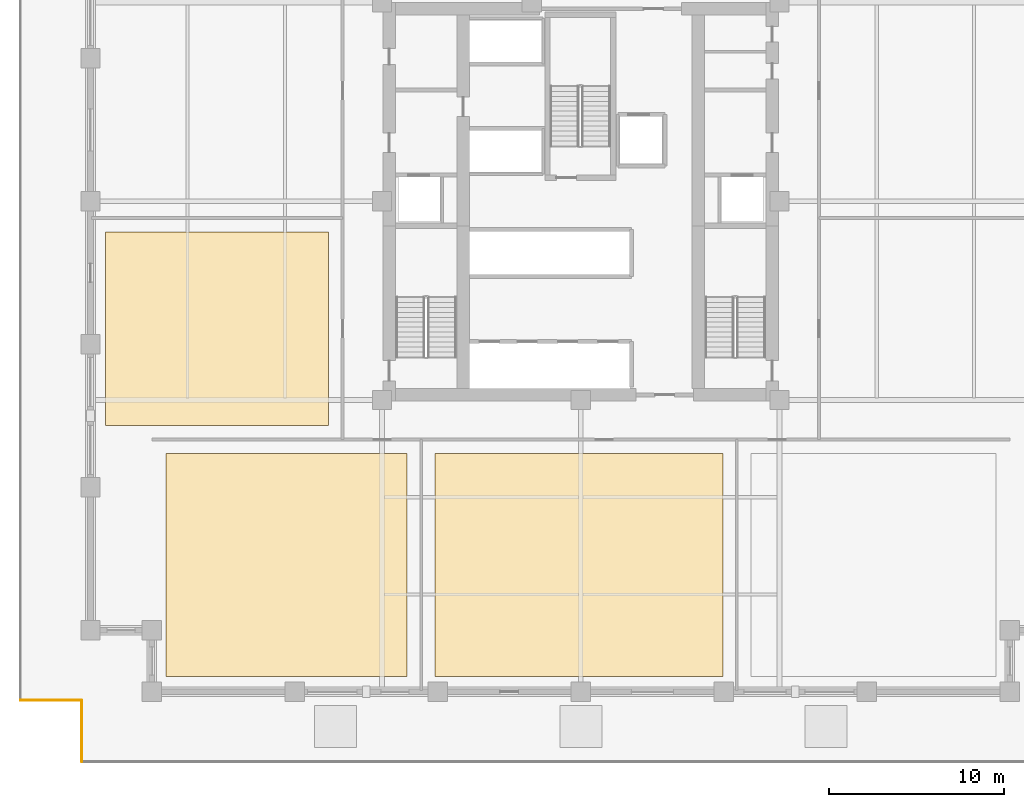
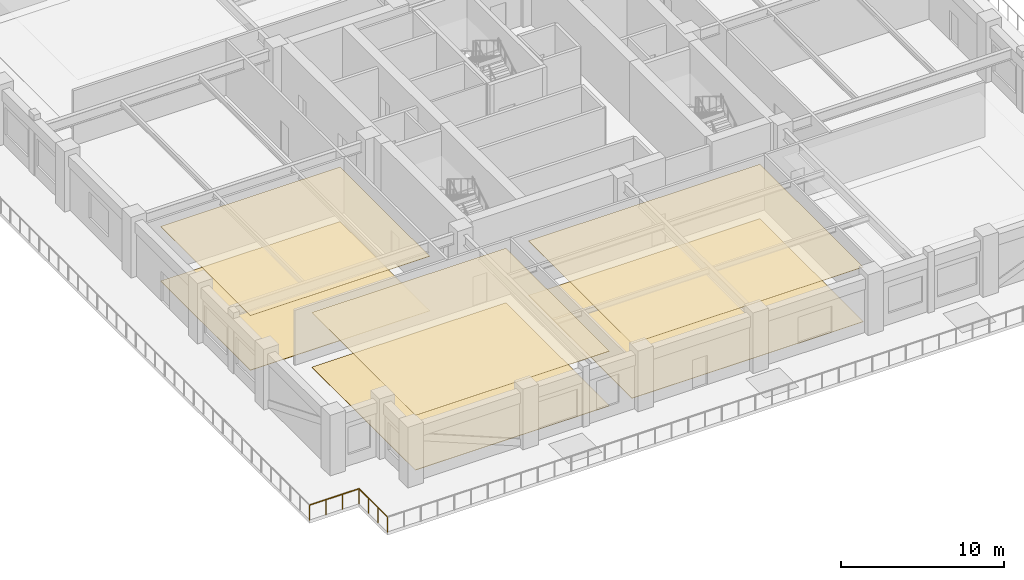
# One storey, part 7 of 13: 6 coverings, 2 railings.
"""IFC4 building model written with IfcOpenShell, lengths in metres."""

from ifc_helpers import new_model, si_unit, direction, frame, origin, origin_2d, place, context, subcontext, project, spatial, polyline, circle, outline, extrude, material, layer, layer_set, type_object, element, save


model = new_model("IFC4")

# Units and contexts
model_context = context("Model", 3, precision=1e-05, world=origin(), true_north=direction((0.0, 1.0)))
body_context = subcontext(model_context, "Body", "Model", "MODEL_VIEW")
ifc_project = project(units=[si_unit("LENGTHUNIT", "METRE"), si_unit("AREAUNIT", "SQUARE_METRE"), si_unit("VOLUMEUNIT", "CUBIC_METRE"), si_unit("PLANEANGLEUNIT", "RADIAN"), si_unit("MASSUNIT", "GRAM", prefix="KILO")], contexts=[model_context])

# Site, building, storey
site_placement = place(None, origin())
site = spatial("IfcSite", under=ifc_project, at=site_placement, CompositionType="ELEMENT")
building_placement = place(site_placement, origin())
building = spatial("IfcBuilding", under=site, at=building_placement, Name="Nhamokura Convention Tower", CompositionType="ELEMENT")
storey_placement = place(building_placement, frame((0.0, 0.0, 34.300048828125)))
storey = spatial("IfcBuildingStorey", under=building, at=storey_placement, Name="L06", CompositionType="ELEMENT", Elevation=34.300048828125)

# Coverings
ifc_material_1 = material(Name="Mineral-fibre acoustic ceiling tile", Category="gypsum")
ifc_layer_1 = layer(ifc_material_1, 0.02490234375)
ifc_layer_set_1 = layer_set([ifc_layer_1], Name="AcousticTileCeiling_25")
covering_type_1 = type_object("IfcCoveringType", Name="AcousticTileCeiling_25", PredefinedType="CEILING", material=ifc_layer_set_1)
covering_1_placement = place(storey_placement, frame((0.0, 0.0, 4.10498046875)))
element("IfcCovering", 1, at=covering_1_placement, inside=storey, type_object=covering_type_1, Name="L06 Suspended Ceiling 01", PredefinedType="CEILING", context=body_context, shape_type="SweptSolid", body=[
    extrude(outline(polyline([(8.300048828125, 4.860107421875), (22.083251953125, 4.860107421875), (22.083251953125, 17.60009765625), (8.300048828125, 17.60009765625), (8.300048828125, 4.860107421875)])), origin(), (0.0, 0.0, 1.0), 0.02490234375),
])
covering_2_placement = place(storey_placement, frame((0.0, 0.0, 4.10498046875)))
element("IfcCovering", 2, at=covering_2_placement, inside=storey, type_object=covering_type_1, Name="L06 Suspended Ceiling 02", PredefinedType="CEILING", context=body_context, shape_type="SweptSolid", body=[
    extrude(outline(polyline([(23.683349609375, 4.860107421875), (40.11669921875, 4.860107421875), (40.11669921875, 17.60009765625), (23.683349609375, 17.60009765625), (23.683349609375, 4.860107421875)])), origin(), (0.0, 0.0, 1.0), 0.02490234375),
])
covering_3_placement = place(storey_placement, frame((0.0, 0.0, 4.10498046875)))
element("IfcCovering", 3, at=covering_3_placement, inside=storey, type_object=covering_type_1, Name="L06 Suspended Ceiling 06", PredefinedType="CEILING", context=body_context, shape_type="SweptSolid", body=[
    extrude(outline(polyline([(4.860107421875, 19.199951171875), (17.60009765625, 19.199951171875), (17.60009765625, 30.25), (4.860107421875, 30.25), (4.860107421875, 19.199951171875)])), origin(), (0.0, 0.0, 1.0), 0.02490234375),
])
ifc_material_2 = material(Name="Polished Sabana granite terrazzo", Category="masonry")
ifc_layer_2 = layer(ifc_material_2, 0.030029296875)
ifc_layer_set_2 = layer_set([ifc_layer_2], Name="SabanaTerrazzoFlooring_30")
covering_type_2 = type_object("IfcCoveringType", Name="SabanaTerrazzoFlooring_30", PredefinedType="FLOORING", material=ifc_layer_set_2)
covering_4_placement = place(storey_placement, origin())
element("IfcCovering", 4, at=covering_4_placement, inside=storey, type_object=covering_type_2, Name="L06 Finish Flooring 01", PredefinedType="FLOORING", context=body_context, shape_type="SweptSolid", body=[
    extrude(outline(polyline([(8.300048828125, 4.860107421875), (22.083251953125, 4.860107421875), (22.083251953125, 17.60009765625), (8.300048828125, 17.60009765625), (8.300048828125, 4.860107421875)])), origin(), (0.0, 0.0, 1.0), 0.030029296875),
])
covering_5_placement = place(storey_placement, origin())
element("IfcCovering", 5, at=covering_5_placement, inside=storey, type_object=covering_type_2, Name="L06 Finish Flooring 02", PredefinedType="FLOORING", context=body_context, shape_type="SweptSolid", body=[
    extrude(outline(polyline([(23.683349609375, 4.860107421875), (40.11669921875, 4.860107421875), (40.11669921875, 17.60009765625), (23.683349609375, 17.60009765625), (23.683349609375, 4.860107421875)])), origin(), (0.0, 0.0, 1.0), 0.030029296875),
])
covering_6_placement = place(storey_placement, origin())
element("IfcCovering", 6, at=covering_6_placement, inside=storey, type_object=covering_type_2, Name="L06 Finish Flooring 06", PredefinedType="FLOORING", context=body_context, shape_type="SweptSolid", body=[
    extrude(outline(polyline([(4.860107421875, 19.199951171875), (17.60009765625, 19.199951171875), (17.60009765625, 30.25), (4.860107421875, 30.25), (4.860107421875, 19.199951171875)])), origin(), (0.0, 0.0, 1.0), 0.030029296875),
])

# Railings
ifc_material_3 = material(Name="Anodised bronze stainless steel", Category="steel")
railing_type = type_object("IfcRailingType", Name="TerraceGuardrail_1150", PredefinedType="GUARDRAIL", material=ifc_material_3)
railing_1_placement = place(storey_placement, frame((0.0, 3.5, 0.0)))
element("IfcRailing", 7, at=railing_1_placement, inside=storey, type_object=railing_type, Name="L06 Perimeter Guardrail 11", PredefinedType="GUARDRAIL", context=body_context, shape_type="SweptSolid", body=[
    extrude(circle(Radius=0.02392578125, at=origin_2d()), frame((0.0, 0.0, 1.1259765625), z_axis=(1.0, 0.0, 0.0), x_axis=(0.0, 1.0, 0.0)), (0.0, 0.0, 1.0), 3.5),
    extrude(circle(Radius=0.02099609375, at=origin_2d()), origin(), (0.0, 0.0, 1.0), 1.101806640625),
    extrude(circle(Radius=0.02099609375, at=origin_2d()), frame((1.166748046875, 0.0, 0.0)), (0.0, 0.0, 1.0), 1.101806640625),
    extrude(circle(Radius=0.02099609375, at=origin_2d()), frame((2.333251953125, 0.0, 0.0)), (0.0, 0.0, 1.0), 1.101806640625),
    extrude(circle(Radius=0.02099609375, at=origin_2d()), frame((3.5, 0.0, 0.0)), (0.0, 0.0, 1.0), 1.101806640625),
])
railing_2_placement = place(storey_placement, frame((3.5, 3.5, 0.0)))
element("IfcRailing", 8, at=railing_2_placement, inside=storey, type_object=railing_type, Name="L06 Perimeter Guardrail 12", PredefinedType="GUARDRAIL", context=body_context, shape_type="SweptSolid", body=[
    extrude(circle(Radius=0.02392578125, at=origin_2d()), frame((0.0, 0.0, 1.1259765625), z_axis=(0.0, -1.0, 0.0), x_axis=(1.0, 0.0, 0.0)), (0.0, 0.0, 1.0), 3.5),
    extrude(circle(Radius=0.02099609375, at=origin_2d()), origin(), (0.0, 0.0, 1.0), 1.101806640625),
    extrude(circle(Radius=0.02099609375, at=origin_2d()), frame((0.0, -1.166748046875, 0.0)), (0.0, 0.0, 1.0), 1.101806640625),
    extrude(circle(Radius=0.02099609375, at=origin_2d()), frame((0.0, -2.333251953125, 0.0)), (0.0, 0.0, 1.0), 1.101806640625),
    extrude(circle(Radius=0.02099609375, at=origin_2d()), frame((0.0, -3.5, 0.0)), (0.0, 0.0, 1.0), 1.101806640625),
])

save(model, "model.ifc")
